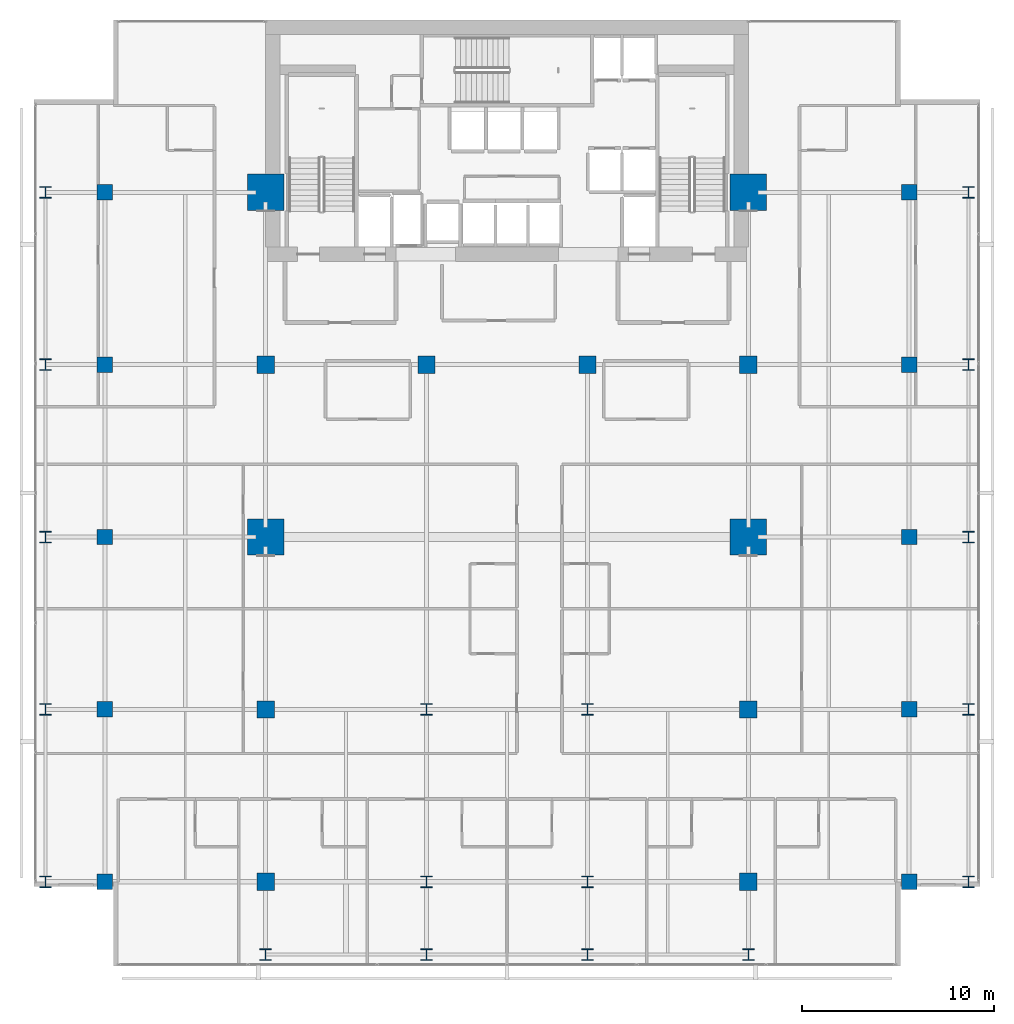
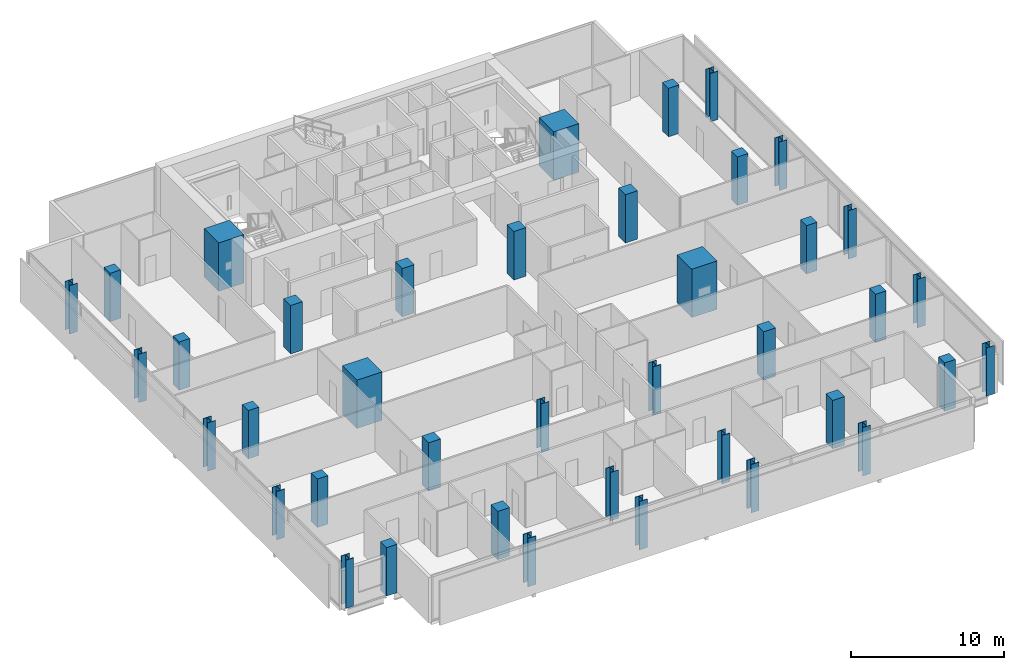
# One storey, part 1 of 33: 40 columns.
"""IFC4 building model written with IfcOpenShell, lengths in metres."""

from ifc_helpers import new_model, si_unit, direction, frame, origin, origin_2d, place, context, subcontext, project, spatial, rectangle, i_section, extrude, material, material_profile, profile_set, type_object, element, save


model = new_model("IFC4")

# Units and contexts
model_context = context("Model", 3, precision=1e-05, world=origin(), true_north=direction((0.0, 1.0)))
body_context = subcontext(model_context, "Body", "Model", "MODEL_VIEW")
ifc_project = project(units=[si_unit("LENGTHUNIT", "METRE"), si_unit("AREAUNIT", "SQUARE_METRE"), si_unit("VOLUMEUNIT", "CUBIC_METRE"), si_unit("PLANEANGLEUNIT", "RADIAN"), si_unit("MASSUNIT", "GRAM", prefix="KILO")], contexts=[model_context])

# Site, building, storey
site_placement = place(None, origin())
site = spatial("IfcSite", under=ifc_project, at=site_placement, CompositionType="ELEMENT")
building_placement = place(site_placement, origin())
building = spatial("IfcBuilding", under=site, at=building_placement, Name="Maruvema Waterfront Hotel and Observation Tower", CompositionType="ELEMENT")
storey_placement = place(building_placement, frame((0.0, 0.0, 196.699951171875)))
storey = spatial("IfcBuildingStorey", under=building, at=storey_placement, Name="L48", CompositionType="ELEMENT", Elevation=196.699951171875)

# Columns
ifc_material_1 = material(Name="Concrete C80/95", Category="concrete")
ifc_material_profile_1 = material_profile(ifc_material_1, rectangle(XDim=1.89990234375, YDim=1.89990234375, at=origin_2d()), Name="MC1900x1900")
ifc_profile_set_1 = profile_set([ifc_material_profile_1], Name="Concrete C80/95")
column_type_1 = type_object("IfcColumnType", Name="Continuous Mega-Column MC1900x1900", PredefinedType="COLUMN", material=ifc_profile_set_1)
for number, where, z_axis, x_axis, name in (
    (1, (25.199951171875, 27.0, 0.0), (0.0, 0.0, 1.0), (1.0, 0.0, 0.0), "L48 Continuous Mega-Column MC-01"),
    (2, (50.39990234375, 27.0, 0.0), (0.0, 0.0, 1.0), (1.0, 0.0, 0.0), "L48 Continuous Mega-Column MC-02"),
    (3, (25.199951171875, 45.0, 0.0), (0.0, 0.0, 1.0), (1.0, 0.0, 0.0), "L48 Continuous Mega-Column MC-03"),
    (4, (50.39990234375, 45.0, 0.0), (0.0, 0.0, 1.0), (1.0, 0.0, 0.0), "L48 Continuous Mega-Column MC-04"),
):
    element("IfcColumn", number, at=place(storey_placement, frame(where, z_axis=z_axis, x_axis=x_axis)), inside=storey, type_object=column_type_1, Name=name, PredefinedType="COLUMN", context=body_context, shape_type="SweptSolid", body=[
        extrude(rectangle(XDim=1.89990234375, YDim=1.89990234375, at=origin_2d()), origin(), (0.0, 0.0, 1.0), 3.85009765625),
    ])
ifc_material_2 = material(Name="Concrete C60/75", Category="concrete")
ifc_material_profile_2 = material_profile(ifc_material_2, rectangle(XDim=0.800048828125, YDim=0.800048828125, at=origin_2d()), Name="RC800x800")
ifc_profile_set_2 = profile_set([ifc_material_profile_2], Name="Concrete C60/75")
column_type_2 = type_object("IfcColumnType", Name="Reinforced Concrete Column RC800x800", PredefinedType="COLUMN", material=ifc_profile_set_2)
for number, where, z_axis, x_axis, name in (
    (5, (16.800048828125, 9.0, 0.0), (0.0, 0.0, 1.0), (1.0, 0.0, 0.0), "L48 Column C-3Y9"),
    (6, (58.800048828125, 9.0, 0.0), (0.0, 0.0, 1.0), (1.0, 0.0, 0.0), "L48 Column C-8Y9"),
    (7, (16.800048828125, 18.0, 0.0), (0.0, 0.0, 1.0), (1.0, 0.0, 0.0), "L48 Column C-3Y18"),
    (8, (58.800048828125, 18.0, 0.0), (0.0, 0.0, 1.0), (1.0, 0.0, 0.0), "L48 Column C-8Y18"),
    (9, (16.800048828125, 27.0, 0.0), (0.0, 0.0, 1.0), (1.0, 0.0, 0.0), "L48 Column C-3Y27"),
    (10, (58.800048828125, 27.0, 0.0), (0.0, 0.0, 1.0), (1.0, 0.0, 0.0), "L48 Column C-8Y27"),
    (11, (16.800048828125, 36.0, 0.0), (0.0, 0.0, 1.0), (1.0, 0.0, 0.0), "L48 Column C-3Y36"),
    (12, (58.800048828125, 36.0, 0.0), (0.0, 0.0, 1.0), (1.0, 0.0, 0.0), "L48 Column C-8Y36"),
    (13, (16.800048828125, 45.0, 0.0), (0.0, 0.0, 1.0), (1.0, 0.0, 0.0), "L48 Column C-3Y45"),
    (14, (58.800048828125, 45.0, 0.0), (0.0, 0.0, 1.0), (1.0, 0.0, 0.0), "L48 Column C-8Y45"),
):
    element("IfcColumn", number, at=place(storey_placement, frame(where, z_axis=z_axis, x_axis=x_axis)), inside=storey, type_object=column_type_2, Name=name, PredefinedType="COLUMN", context=body_context, shape_type="SweptSolid", body=[
        extrude(rectangle(XDim=0.800048828125, YDim=0.800048828125, at=origin_2d()), origin(), (0.0, 0.0, 1.0), 3.85009765625),
    ])
ifc_material_3 = material(Name="Concrete C60/75", Category="concrete")
ifc_material_profile_3 = material_profile(ifc_material_3, rectangle(XDim=0.89990234375, YDim=0.89990234375, at=origin_2d()), Name="RC900x900")
ifc_profile_set_3 = profile_set([ifc_material_profile_3], Name="Concrete C60/75")
column_type_3 = type_object("IfcColumnType", Name="Reinforced Concrete Column RC900x900", PredefinedType="COLUMN", material=ifc_profile_set_3)
for number, where, z_axis, x_axis, name in (
    (15, (25.199951171875, 36.0, 0.0), (0.0, 0.0, 1.0), (1.0, 0.0, 0.0), "L48 Column C-4E"),
    (16, (33.60009765625, 36.0, 0.0), (0.0, 0.0, 1.0), (1.0, 0.0, 0.0), "L48 Column C-5E"),
    (17, (42.0, 36.0, 0.0), (0.0, 0.0, 1.0), (1.0, 0.0, 0.0), "L48 Column C-6E"),
    (18, (50.39990234375, 36.0, 0.0), (0.0, 0.0, 1.0), (1.0, 0.0, 0.0), "L48 Column C-7E"),
    (19, (25.199951171875, 18.0, 0.0), (0.0, 0.0, 1.0), (1.0, 0.0, 0.0), "L48 Column C-4C"),
    (20, (50.39990234375, 18.0, 0.0), (0.0, 0.0, 1.0), (1.0, 0.0, 0.0), "L48 Column C-7C"),
    (21, (25.199951171875, 9.0, 0.0), (0.0, 0.0, 1.0), (1.0, 0.0, 0.0), "L48 Column C-4B"),
    (22, (50.39990234375, 9.0, 0.0), (0.0, 0.0, 1.0), (1.0, 0.0, 0.0), "L48 Column C-7B"),
):
    element("IfcColumn", number, at=place(storey_placement, frame(where, z_axis=z_axis, x_axis=x_axis)), inside=storey, type_object=column_type_3, Name=name, PredefinedType="COLUMN", context=body_context, shape_type="SweptSolid", body=[
        extrude(rectangle(XDim=0.89990234375, YDim=0.89990234375, at=origin_2d()), origin(), (0.0, 0.0, 1.0), 3.85009765625),
    ])
ifc_material_4 = material(Name="Steel ABNT NBR 7007 AR 415 (ASTM A572 Grade 50)", Category="steel")
ifc_material_profile_4 = material_profile(ifc_material_4, i_section(OverallWidth=0.60009765625, OverallDepth=0.60009765625, WebThickness=0.02490234375, FlangeThickness=0.0380859375, at=origin_2d()), Name="CVS600x317")
ifc_profile_set_4 = profile_set([ifc_material_profile_4], Name="Steel ABNT NBR 7007 AR 415 (ASTM A572 Grade 50)")
column_type_4 = type_object("IfcColumnType", Name="Structural Steel Column CVS600x317", PredefinedType="COLUMN", material=ifc_profile_set_4)
for number, where, z_axis, x_axis, name in (
    (23, (33.60009765625, 9.0, 0.0), (0.0, 0.0, 1.0), (1.0, 0.0, 0.0), "L48 Column C-5B"),
    (24, (42.0, 9.0, 0.0), (0.0, 0.0, 1.0), (1.0, 0.0, 0.0), "L48 Column C-6B"),
    (25, (33.60009765625, 18.0, 0.0), (0.0, 0.0, 1.0), (1.0, 0.0, 0.0), "L48 Column C-5C"),
    (26, (42.0, 18.0, 0.0), (0.0, 0.0, 1.0), (1.0, 0.0, 0.0), "L48 Column C-6C"),
    (27, (13.699951171875, 9.0, 0.0), (0.0, 0.0, 1.0), (1.0, 0.0, 0.0), "L48 Column C-Z2W9"),
    (28, (61.89990234375, 9.0, 0.0), (0.0, 0.0, 1.0), (1.0, 0.0, 0.0), "L48 Column C-Z2E9"),
    (29, (13.699951171875, 18.0, 0.0), (0.0, 0.0, 1.0), (1.0, 0.0, 0.0), "L48 Column C-Z2W18"),
    (30, (61.89990234375, 18.0, 0.0), (0.0, 0.0, 1.0), (1.0, 0.0, 0.0), "L48 Column C-Z2E18"),
    (31, (13.699951171875, 27.0, 0.0), (0.0, 0.0, 1.0), (1.0, 0.0, 0.0), "L48 Column C-Z2W27"),
    (32, (61.89990234375, 27.0, 0.0), (0.0, 0.0, 1.0), (1.0, 0.0, 0.0), "L48 Column C-Z2E27"),
    (33, (13.699951171875, 36.0, 0.0), (0.0, 0.0, 1.0), (1.0, 0.0, 0.0), "L48 Column C-Z2W36"),
    (34, (61.89990234375, 36.0, 0.0), (0.0, 0.0, 1.0), (1.0, 0.0, 0.0), "L48 Column C-Z2E36"),
    (35, (13.699951171875, 45.0, 0.0), (0.0, 0.0, 1.0), (1.0, 0.0, 0.0), "L48 Column C-Z2W45"),
    (36, (61.89990234375, 45.0, 0.0), (0.0, 0.0, 1.0), (1.0, 0.0, 0.0), "L48 Column C-Z2E45"),
    (37, (25.199951171875, 5.199951171875, 0.0), (0.0, 0.0, 1.0), (1.0, 0.0, 0.0), "L48 Column C-Z2S4"),
    (38, (33.60009765625, 5.199951171875, 0.0), (0.0, 0.0, 1.0), (1.0, 0.0, 0.0), "L48 Column C-Z2S5"),
    (39, (42.0, 5.199951171875, 0.0), (0.0, 0.0, 1.0), (1.0, 0.0, 0.0), "L48 Column C-Z2S6"),
    (40, (50.39990234375, 5.199951171875, 0.0), (0.0, 0.0, 1.0), (1.0, 0.0, 0.0), "L48 Column C-Z2S7"),
):
    element("IfcColumn", number, at=place(storey_placement, frame(where, z_axis=z_axis, x_axis=x_axis)), inside=storey, type_object=column_type_4, Name=name, PredefinedType="COLUMN", context=body_context, shape_type="SweptSolid", body=[
        extrude(i_section(OverallWidth=0.60009765625, OverallDepth=0.60009765625, WebThickness=0.02490234375, FlangeThickness=0.0380859375, at=origin_2d()), origin(), (0.0, 0.0, 1.0), 3.85009765625),
    ])

save(model, "model.ifc")
